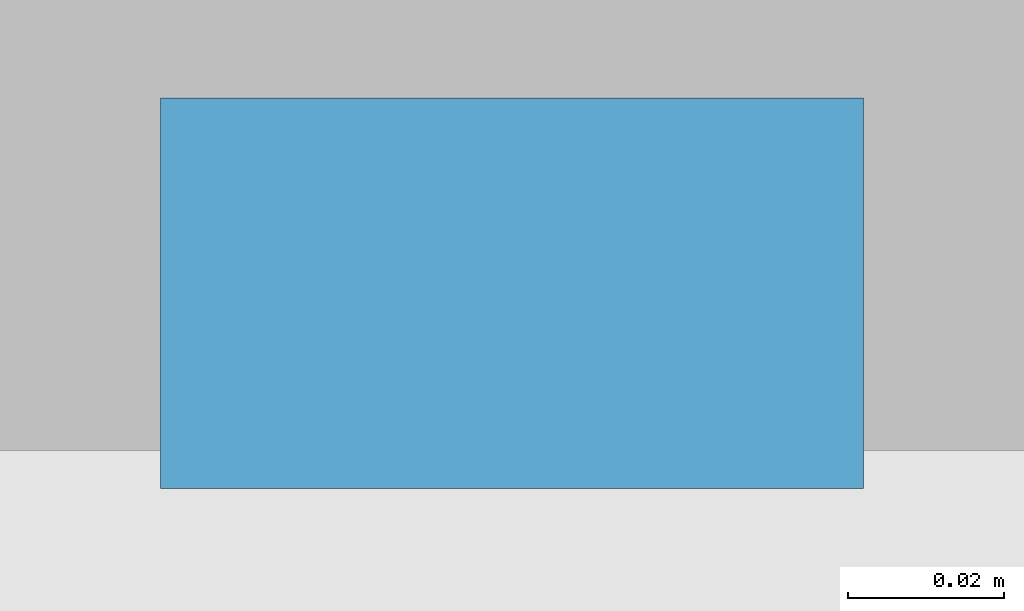
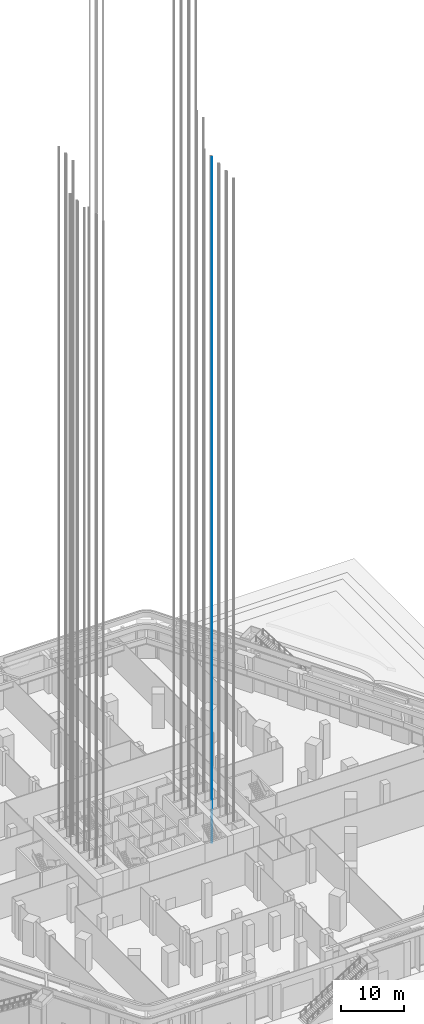
# One storey, part 51 of 68: 1 discrete accessory.
"""IFC4 building model written with IfcOpenShell, lengths in metres."""

import ifcopenshell
import ifcopenshell.guid

model = None  # the IFC model being written
_history = None  # IfcOwnerHistory: only IFC2X3 demands one
_inside = {}  # id of a spatial element -> (the spatial element, [elements in it])
_under = {}  # id of a project, library or spatial element -> (it, [spatial elements below it])
_declared = {}  # id of a project -> (the project, [libraries it declares])
_typed = {}  # id of a type object -> (the type object, [elements of that type])
_made_of = {}  # id of a material, layer set ... -> (it, [elements and type objects made of it])


def new_model(schema):
    """Start an empty IFC model of exactly this schema.

    Asked for "IFC4X3", IfcOpenShell would pick the latest addendum, in which some entities
    have other attributes; the version numbers below select the first issue.
    IFC2X3 requires an IfcOwnerHistory on every rooted entity: one is made here for all.
    """
    global model, _history
    if schema == "IFC4X3":
        model = ifcopenshell.file(schema_version=(4, 3, 0, 0))
    else:
        model = ifcopenshell.file(schema=schema)
    _inside.clear()
    _under.clear()
    _declared.clear()
    _typed.clear()
    _made_of.clear()
    _history = None
    if model.schema == "IFC2X3":
        org = make("IfcOrganization", Name="unknown")
        user = make(
            "IfcPersonAndOrganization",
            ThePerson=make("IfcPerson", FamilyName="unknown"),
            TheOrganization=org,
        )
        app = make(
            "IfcApplication",
            ApplicationDeveloper=org,
            Version="unknown",
            ApplicationFullName="unknown",
            ApplicationIdentifier="unknown",
        )
        _history = make(
            "IfcOwnerHistory",
            OwningUser=user,
            OwningApplication=app,
            ChangeAction="ADDED",
            CreationDate=0,
        )
    return model


def make(cls, **values):
    """One entity of the class cls with the attributes given. An attribute that is None is left unset."""
    return model.create_entity(
        cls, **{name: value for name, value in values.items() if value is not None}
    )


def rooted(cls, **values):
    """An entity with a GlobalId (a new one), such as an element, a storey or a relation."""
    return make(cls, GlobalId=ifcopenshell.guid.new(), OwnerHistory=_history, **values)


def si_unit(unit_type, name, prefix=None):
    """IfcSIUnit, for example si_unit("LENGTHUNIT", "METRE", prefix="MILLI")."""
    return make("IfcSIUnit", UnitType=unit_type, Prefix=prefix, Name=name)


def assignment(units):
    """IfcUnitAssignment: the units of a project."""
    return None if units is None else make("IfcUnitAssignment", Units=units)


def point(xyz):
    """IfcCartesianPoint."""
    return None if xyz is None else make("IfcCartesianPoint", Coordinates=xyz)


def direction(xyz):
    """IfcDirection."""
    return None if xyz is None else make("IfcDirection", DirectionRatios=xyz)


def frame(location, z_axis=None, x_axis=None):
    """IfcAxis2Placement3D, a coordinate frame: its origin and axes. An axis left out is left unset."""
    return make(
        "IfcAxis2Placement3D",
        Location=point(location),
        Axis=direction(z_axis),
        RefDirection=direction(x_axis),
    )


def frame_2d(location, x_axis=None):
    """IfcAxis2Placement2D, a coordinate frame in the plane: its origin and x axis."""
    return make(
        "IfcAxis2Placement2D", Location=point(location), RefDirection=direction(x_axis)
    )


def origin():
    """The frame at (0, 0, 0) with its axes left unset."""
    return frame((0.0, 0.0, 0.0))


def origin_2d():
    """The frame at (0, 0) in the plane with its x axis left unset."""
    return frame_2d((0.0, 0.0))


def place(relative_to, where):
    """IfcLocalPlacement: puts the frame where relative to a parent placement (None: the world)."""
    return make(
        "IfcLocalPlacement", PlacementRelTo=relative_to, RelativePlacement=where
    )


def context(
    kind, dimensions, precision=None, world=None, true_north=None, identifier=None
):
    """IfcGeometricRepresentationContext, for example the 3D "Model" context."""
    return make(
        "IfcGeometricRepresentationContext",
        ContextIdentifier=identifier,
        ContextType=kind,
        CoordinateSpaceDimension=dimensions,
        Precision=precision,
        WorldCoordinateSystem=world,
        TrueNorth=true_north,
    )


def subcontext(parent, identifier, kind, view, scale=None):
    """IfcGeometricRepresentationSubContext, for example "Body" below "Model"."""
    return make(
        "IfcGeometricRepresentationSubContext",
        ContextIdentifier=identifier,
        ContextType=kind,
        ParentContext=parent,
        TargetScale=scale,
        TargetView=view,
    )


def project(units=None, contexts=None):
    """IfcProject with its units and contexts."""
    return rooted(
        "IfcProject",
        Name="project",
        RepresentationContexts=contexts,
        UnitsInContext=assignment(units),
    )


def spatial(cls, under=None, at=None, **own):
    """A site, building, storey or space (cls), placed at a placement, below another one or the project."""
    s = rooted(cls, ObjectPlacement=at, **own)
    if under is not None:
        _under.setdefault(under.id(), (under, []))[1].append(s)
    return s


def profile(cls, at=None, kind="AREA", **sizes):
    """A parametric profile (cls). Its sizes go by their IFC names, for example OverallWidth=200.0."""
    return make(cls, ProfileType=kind, Position=at, **sizes)


def rectangle(**sizes):
    """IfcRectangleProfileDef."""
    return profile("IfcRectangleProfileDef", **sizes)


def extrude(swept, where, along, depth):
    """IfcExtrudedAreaSolid: the profile swept, set in the frame where, extruded along a direction by depth."""
    return make(
        "IfcExtrudedAreaSolid",
        SweptArea=swept,
        Position=where,
        ExtrudedDirection=direction(along),
        Depth=depth,
    )


def shape(context_of_items, identifier, shape_type, items):
    """IfcShapeRepresentation: the items that make up one representation, for example the "Body"."""
    return make(
        "IfcShapeRepresentation",
        ContextOfItems=context_of_items,
        RepresentationIdentifier=identifier,
        RepresentationType=shape_type,
        Items=items,
    )


def made_of(thing, what):
    """Note that an element or type object is made of a material, layer set ...; save() writes the relation."""
    if what is not None:
        _made_of.setdefault(what.id(), (what, []))[1].append(thing)
    return thing


def element(
    cls,
    number,
    at=None,
    inside=None,
    cuts=None,
    type_object=None,
    material=None,
    context=None,
    identifier="Body",
    shape_type=None,
    held_by="IfcProductDefinitionShape",
    body=None,
    shapes=None,
    **own,
):
    """One element of the class cls, such as IfcWall. Its Tag is "e" and its number.

    at: its placement. inside: the storey or other place that contains it. cuts: it is an
    opening in that element (IfcRelVoidsElement). A single representation is given by context,
    identifier, shape_type and body (its items); several are given by shapes. held_by: the class
    of the entity that holds the representations. save() writes the other relations.
    """
    e = rooted(cls, Tag="e%d" % number, ObjectPlacement=at, **own)
    if body is not None:
        shapes = [shape(context, identifier, shape_type, body)]
    if shapes is not None:
        e.Representation = make(held_by, Representations=shapes)
    if inside is not None:
        _inside.setdefault(inside.id(), (inside, []))[1].append(e)
    if cuts is not None:
        rooted(
            "IfcRelVoidsElement", RelatingBuildingElement=cuts, RelatedOpeningElement=e
        )
    if type_object is not None:
        _typed.setdefault(type_object.id(), (type_object, []))[1].append(e)
    return made_of(e, material)


def aggregate(whole, parts):
    """IfcRelAggregates: a whole, such as a stair, and the parts it consists of."""
    return rooted("IfcRelAggregates", RelatingObject=whole, RelatedObjects=parts)


def save(model, path):
    """Write the relations noted so far, then the file.

    IfcRelAggregates (storeys below a building ...), IfcRelContainedInSpatialStructure (elements
    in a storey), IfcRelDefinesByType, IfcRelAssociatesMaterial and IfcRelDeclares: one each for
    every whole, place, type object, material and project.
    """
    for whole, parts in _under.values():
        aggregate(whole, parts)
    for where, things in _inside.values():
        rooted(
            "IfcRelContainedInSpatialStructure",
            RelatedElements=things,
            RelatingStructure=where,
        )
    for kind, things in _typed.values():
        rooted("IfcRelDefinesByType", RelatedObjects=things, RelatingType=kind)
    for what, things in _made_of.values():
        rooted("IfcRelAssociatesMaterial", RelatedObjects=things, RelatingMaterial=what)
    for by, libraries in _declared.values():
        rooted("IfcRelDeclares", RelatingContext=by, RelatedDefinitions=libraries)
    model.write(path)


model = new_model("IFC4")

# Units and contexts
model_context = context("Model", 3, precision=1e-05, world=origin(), true_north=direction((0.0, 1.0)))
body_context = subcontext(model_context, "Body", "Model", "MODEL_VIEW")
ifc_project = project(units=[si_unit("LENGTHUNIT", "METRE"), si_unit("AREAUNIT", "SQUARE_METRE"), si_unit("VOLUMEUNIT", "CUBIC_METRE"), si_unit("PLANEANGLEUNIT", "RADIAN"), si_unit("MASSUNIT", "GRAM", prefix="KILO")], contexts=[model_context])

# Site, building, storey
site_placement = place(None, origin())
site = spatial("IfcSite", under=ifc_project, at=site_placement, CompositionType="ELEMENT")
building_placement = place(site_placement, origin())
building = spatial("IfcBuilding", under=site, at=building_placement, Name="Kolab Exchange Tower", CompositionType="ELEMENT")
storey_placement = place(building_placement, origin())
storey = spatial("IfcBuildingStorey", under=building, at=storey_placement, Name="L00", CompositionType="ELEMENT", Elevation=0.0)

# Discrete accessory
discrete_accessory_placement = place(storey_placement, frame((12.0, -0.1298828125, -1.599853515625), z_axis=(0.0, 0.0, 1.0), x_axis=(1.0, 0.0, 0.0)))
element("IfcDiscreteAccessory", 1, at=discrete_accessory_placement, inside=storey, Name="Guide rail LR3-2", ObjectType="GUIDE RAIL", PredefinedType="USERDEFINED", context=body_context, shape_type="SweptSolid", body=[
    extrude(rectangle(XDim=0.090087890625, YDim=0.050048828125, at=origin_2d()), origin(), (0.0, 0.0, 1.0), 133.39990234375),
])

save(model, "model.ifc")
